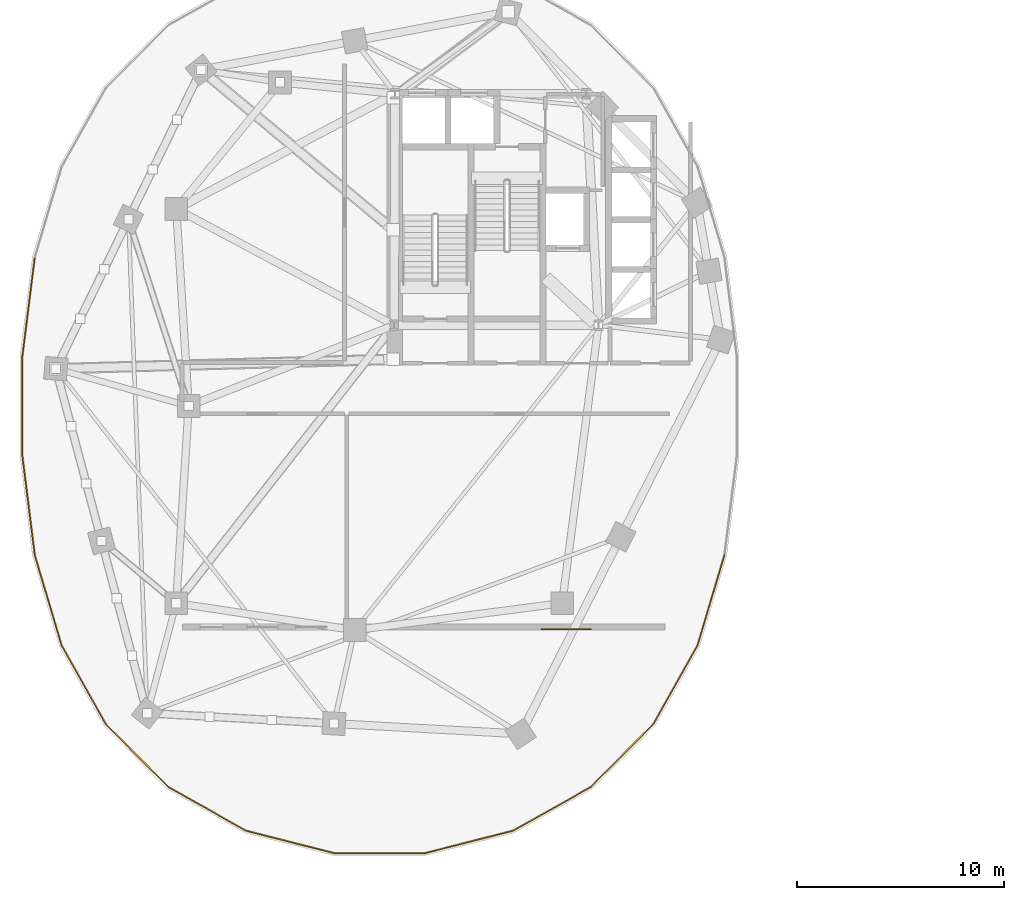
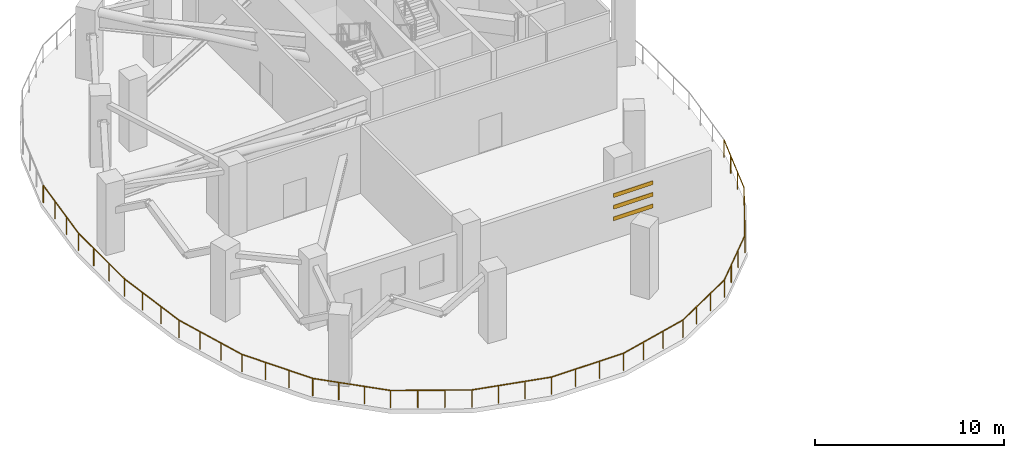
# One storey, part 8 of 12: 7 railings, 3 shading devices.
"""IFC4 building model written with IfcOpenShell, lengths in metres."""

from ifc_helpers import new_model, si_unit, direction, frame, origin, origin_2d, place, context, subcontext, project, spatial, rectangle, extrude, material, material_profile, profile_set, type_object, element, save


model = new_model("IFC4")

# Units and contexts
model_context = context("Model", 3, precision=1e-05, world=origin(), true_north=direction((0.0, 1.0)))
body_context = subcontext(model_context, "Body", "Model", "MODEL_VIEW")
ifc_project = project(units=[si_unit("LENGTHUNIT", "METRE"), si_unit("AREAUNIT", "SQUARE_METRE"), si_unit("VOLUMEUNIT", "CUBIC_METRE"), si_unit("PLANEANGLEUNIT", "RADIAN"), si_unit("MASSUNIT", "GRAM", prefix="KILO"), si_unit("THERMODYNAMICTEMPERATUREUNIT", "KELVIN"), si_unit("POWERUNIT", "WATT")], contexts=[model_context])

# Site, building, storey
site_placement = place(None, origin())
site = spatial("IfcSite", under=ifc_project, at=site_placement, CompositionType="ELEMENT")
building_placement = place(site_placement, origin())
building = spatial("IfcBuilding", under=site, at=building_placement, Name="Cundina Bronze Exchange", CompositionType="ELEMENT")
storey_placement = place(building_placement, frame((0.0, 0.0, 132.199951171875)))
storey = spatial("IfcBuildingStorey", under=building, at=storey_placement, Name="L34", CompositionType="ELEMENT", Elevation=132.199951171875)

# Railings
ifc_material = material(Name="Anodised Bronze Aluminium 6063-T6", Category="aluminium")
railing_type = type_object("IfcRailingType", Name="RLG-GRD-1150", PredefinedType="GUARDRAIL", material=ifc_material)
railing_1_placement = place(storey_placement, frame((-15.3828125, -7.17529296875, 0.0)))
element("IfcRailing", 1, at=railing_1_placement, inside=storey, type_object=railing_type, Name="L34 Perimeter Safety Guardrail 02", PredefinedType="GUARDRAIL", context=body_context, shape_type="SweptSolid", body=[
    extrude(rectangle(XDim=0.048095703125, YDim=0.048095703125, at=origin_2d()), frame((0.0, 0.0, 1.1259765625), z_axis=(-0.284864013169, -0.958567939168, 0.0), x_axis=(0.958567939168, -0.284864013169, 0.0)), (0.0, 0.0, 1.0), 4.564697265625),
    extrude(rectangle(XDim=0.048095703125, YDim=0.048095703125, at=origin_2d()), frame((-1.30029296875, -4.37548828125, 1.1259765625), z_axis=(-0.491134584651, -0.871083704221, 0.0), x_axis=(0.871083704221, -0.491134584651, 0.0)), (0.0, 0.0, 1.0), 4.35205078125),
    extrude(rectangle(XDim=0.0419921875, YDim=0.0419921875, at=origin_2d()), origin(), (0.0, 0.0, 1.0), 1.101806640625),
    extrude(rectangle(XDim=0.0419921875, YDim=0.0419921875, at=origin_2d()), frame((-0.433349609375, -1.45849609375, 0.0)), (0.0, 0.0, 1.0), 1.101806640625),
    extrude(rectangle(XDim=0.0419921875, YDim=0.0419921875, at=origin_2d()), frame((-0.866943359375, -2.9169921875, 0.0)), (0.0, 0.0, 1.0), 1.101806640625),
    extrude(rectangle(XDim=0.0419921875, YDim=0.0419921875, at=origin_2d()), frame((-1.30029296875, -4.37548828125, 0.0)), (0.0, 0.0, 1.0), 1.101806640625),
    extrude(rectangle(XDim=0.0419921875, YDim=0.0419921875, at=origin_2d()), frame((-2.0126953125, -5.63916015625, 0.0)), (0.0, 0.0, 1.0), 1.101806640625),
    extrude(rectangle(XDim=0.0419921875, YDim=0.0419921875, at=origin_2d()), frame((-2.725341796875, -6.90283203125, 0.0)), (0.0, 0.0, 1.0), 1.101806640625),
    extrude(rectangle(XDim=0.0419921875, YDim=0.0419921875, at=origin_2d()), frame((-3.437744140625, -8.16650390625, 0.0)), (0.0, 0.0, 1.0), 1.101806640625),
])
railing_2_placement = place(storey_placement, frame((-18.820556640625, -15.341796875, 0.0)))
element("IfcRailing", 2, at=railing_2_placement, inside=storey, type_object=railing_type, Name="L34 Perimeter Safety Guardrail 03", PredefinedType="GUARDRAIL", context=body_context, shape_type="SweptSolid", body=[
    extrude(rectangle(XDim=0.048095703125, YDim=0.048095703125, at=origin_2d()), frame((0.0, 0.0, 1.1259765625), z_axis=(-0.705213293252, -0.70899521227, 0.0), x_axis=(0.70899521227, -0.705213293252, 0.0)), (0.0, 0.0, 1.0), 4.260498046875),
    extrude(rectangle(XDim=0.048095703125, YDim=0.048095703125, at=origin_2d()), frame((-3.004638671875, -3.020751953125, 1.1259765625), z_axis=(-0.871962493313, -0.48957268128, 0.0), x_axis=(0.48957268128, -0.871962493313, 0.0)), (0.0, 0.0, 1.0), 4.293701171875),
    extrude(rectangle(XDim=0.0419921875, YDim=0.0419921875, at=origin_2d()), origin(), (0.0, 0.0, 1.0), 1.101806640625),
    extrude(rectangle(XDim=0.0419921875, YDim=0.0419921875, at=origin_2d()), frame((-1.00146484375, -1.0068359375, 0.0)), (0.0, 0.0, 1.0), 1.101806640625),
    extrude(rectangle(XDim=0.0419921875, YDim=0.0419921875, at=origin_2d()), frame((-2.003173828125, -2.013916015625, 0.0)), (0.0, 0.0, 1.0), 1.101806640625),
    extrude(rectangle(XDim=0.0419921875, YDim=0.0419921875, at=origin_2d()), frame((-3.004638671875, -3.020751953125, 0.0)), (0.0, 0.0, 1.0), 1.101806640625),
    extrude(rectangle(XDim=0.0419921875, YDim=0.0419921875, at=origin_2d()), frame((-4.252685546875, -3.721435546875, 0.0)), (0.0, 0.0, 1.0), 1.101806640625),
    extrude(rectangle(XDim=0.0419921875, YDim=0.0419921875, at=origin_2d()), frame((-5.50048828125, -4.422119140625, 0.0)), (0.0, 0.0, 1.0), 1.101806640625),
    extrude(rectangle(XDim=0.0419921875, YDim=0.0419921875, at=origin_2d()), frame((-6.74853515625, -5.122802734375, 0.0)), (0.0, 0.0, 1.0), 1.101806640625),
])
railing_3_placement = place(storey_placement, frame((-25.569091796875, -20.464599609375, 0.0)))
element("IfcRailing", 3, at=railing_3_placement, inside=storey, type_object=railing_type, Name="L34 Perimeter Safety Guardrail 04", PredefinedType="GUARDRAIL", context=body_context, shape_type="SweptSolid", body=[
    extrude(rectangle(XDim=0.048095703125, YDim=0.048095703125, at=origin_2d()), frame((0.0, 0.0, 1.1259765625), z_axis=(-0.969034209537, -0.246926508799, 0.0), x_axis=(0.246926508799, -0.969034209537, 0.0)), (0.0, 0.0, 1.0), 4.3671875),
    extrude(rectangle(XDim=0.048095703125, YDim=0.048095703125, at=origin_2d()), frame((-4.23193359375, -1.078369140625, 1.1259765625), z_axis=(-1.0, 0.0, 0.0), x_axis=(0.0, -1.0, 0.0)), (0.0, 0.0, 1.0), 4.39794921875),
    extrude(rectangle(XDim=0.0419921875, YDim=0.0419921875, at=origin_2d()), origin(), (0.0, 0.0, 1.0), 1.101806640625),
    extrude(rectangle(XDim=0.0419921875, YDim=0.0419921875, at=origin_2d()), frame((-1.41064453125, -0.359375, 0.0)), (0.0, 0.0, 1.0), 1.101806640625),
    extrude(rectangle(XDim=0.0419921875, YDim=0.0419921875, at=origin_2d()), frame((-2.8212890625, -0.718994140625, 0.0)), (0.0, 0.0, 1.0), 1.101806640625),
    extrude(rectangle(XDim=0.0419921875, YDim=0.0419921875, at=origin_2d()), frame((-4.23193359375, -1.078369140625, 0.0)), (0.0, 0.0, 1.0), 1.101806640625),
    extrude(rectangle(XDim=0.0419921875, YDim=0.0419921875, at=origin_2d()), frame((-5.697998046875, -1.078369140625, 0.0)), (0.0, 0.0, 1.0), 1.101806640625),
    extrude(rectangle(XDim=0.0419921875, YDim=0.0419921875, at=origin_2d()), frame((-7.163818359375, -1.078369140625, 0.0)), (0.0, 0.0, 1.0), 1.101806640625),
    extrude(rectangle(XDim=0.0419921875, YDim=0.0419921875, at=origin_2d()), frame((-8.6298828125, -1.078369140625, 0.0)), (0.0, 0.0, 1.0), 1.101806640625),
])
railing_4_placement = place(storey_placement, frame((-34.198974609375, -21.54296875, 0.0)))
element("IfcRailing", 4, at=railing_4_placement, inside=storey, type_object=railing_type, Name="L34 Perimeter Safety Guardrail 05", PredefinedType="GUARDRAIL", context=body_context, shape_type="SweptSolid", body=[
    extrude(rectangle(XDim=0.048095703125, YDim=0.048095703125, at=origin_2d()), frame((0.0, 0.0, 1.1259765625), z_axis=(-0.969034209537, 0.246926508799, 0.0), x_axis=(-0.246926508799, -0.969034209537, 0.0)), (0.0, 0.0, 1.0), 4.3671875),
    extrude(rectangle(XDim=0.048095703125, YDim=0.048095703125, at=origin_2d()), frame((-4.23193359375, 1.078369140625, 1.1259765625), z_axis=(-0.871962493313, 0.48957268128, 0.0), x_axis=(-0.48957268128, -0.871962493313, 0.0)), (0.0, 0.0, 1.0), 4.293701171875),
    extrude(rectangle(XDim=0.0419921875, YDim=0.0419921875, at=origin_2d()), origin(), (0.0, 0.0, 1.0), 1.101806640625),
    extrude(rectangle(XDim=0.0419921875, YDim=0.0419921875, at=origin_2d()), frame((-1.41064453125, 0.359375, 0.0)), (0.0, 0.0, 1.0), 1.101806640625),
    extrude(rectangle(XDim=0.0419921875, YDim=0.0419921875, at=origin_2d()), frame((-2.8212890625, 0.718994140625, 0.0)), (0.0, 0.0, 1.0), 1.101806640625),
    extrude(rectangle(XDim=0.0419921875, YDim=0.0419921875, at=origin_2d()), frame((-4.23193359375, 1.078369140625, 0.0)), (0.0, 0.0, 1.0), 1.101806640625),
    extrude(rectangle(XDim=0.0419921875, YDim=0.0419921875, at=origin_2d()), frame((-5.47998046875, 1.779052734375, 0.0)), (0.0, 0.0, 1.0), 1.101806640625),
    extrude(rectangle(XDim=0.0419921875, YDim=0.0419921875, at=origin_2d()), frame((-6.727783203125, 2.479736328125, 0.0)), (0.0, 0.0, 1.0), 1.101806640625),
    extrude(rectangle(XDim=0.0419921875, YDim=0.0419921875, at=origin_2d()), frame((-7.975830078125, 3.180419921875, 0.0)), (0.0, 0.0, 1.0), 1.101806640625),
])
railing_5_placement = place(storey_placement, frame((-42.1748046875, -18.362548828125, 0.0)))
element("IfcRailing", 5, at=railing_5_placement, inside=storey, type_object=railing_type, Name="L34 Perimeter Safety Guardrail 06", PredefinedType="GUARDRAIL", context=body_context, shape_type="SweptSolid", body=[
    extrude(rectangle(XDim=0.048095703125, YDim=0.048095703125, at=origin_2d()), frame((0.0, 0.0, 1.1259765625), z_axis=(-0.705213293252, 0.70899521227, 0.0), x_axis=(-0.70899521227, -0.705213293252, 0.0)), (0.0, 0.0, 1.0), 4.260498046875),
    extrude(rectangle(XDim=0.048095703125, YDim=0.048095703125, at=origin_2d()), frame((-3.004638671875, 3.020751953125, 1.1259765625), z_axis=(-0.491134584651, 0.871083704221, 0.0), x_axis=(-0.871083704221, -0.491134584651, 0.0)), (0.0, 0.0, 1.0), 4.35205078125),
    extrude(rectangle(XDim=0.0419921875, YDim=0.0419921875, at=origin_2d()), origin(), (0.0, 0.0, 1.0), 1.101806640625),
    extrude(rectangle(XDim=0.0419921875, YDim=0.0419921875, at=origin_2d()), frame((-1.00146484375, 1.0068359375, 0.0)), (0.0, 0.0, 1.0), 1.101806640625),
    extrude(rectangle(XDim=0.0419921875, YDim=0.0419921875, at=origin_2d()), frame((-2.003173828125, 2.013916015625, 0.0)), (0.0, 0.0, 1.0), 1.101806640625),
    extrude(rectangle(XDim=0.0419921875, YDim=0.0419921875, at=origin_2d()), frame((-3.004638671875, 3.020751953125, 0.0)), (0.0, 0.0, 1.0), 1.101806640625),
    extrude(rectangle(XDim=0.0419921875, YDim=0.0419921875, at=origin_2d()), frame((-3.717041015625, 4.284423828125, 0.0)), (0.0, 0.0, 1.0), 1.101806640625),
    extrude(rectangle(XDim=0.0419921875, YDim=0.0419921875, at=origin_2d()), frame((-4.4296875, 5.548095703125, 0.0)), (0.0, 0.0, 1.0), 1.101806640625),
    extrude(rectangle(XDim=0.0419921875, YDim=0.0419921875, at=origin_2d()), frame((-5.14208984375, 6.811767578125, 0.0)), (0.0, 0.0, 1.0), 1.101806640625),
])
railing_6_placement = place(storey_placement, frame((-47.31689453125, -11.55078125, 0.0)))
element("IfcRailing", 6, at=railing_6_placement, inside=storey, type_object=railing_type, Name="L34 Perimeter Safety Guardrail 07", PredefinedType="GUARDRAIL", context=body_context, shape_type="SweptSolid", body=[
    extrude(rectangle(XDim=0.048095703125, YDim=0.048095703125, at=origin_2d()), frame((0.0, 0.0, 1.1259765625), z_axis=(-0.284864013169, 0.958567939168, 0.0), x_axis=(-0.958567939168, -0.284864013169, 0.0)), (0.0, 0.0, 1.0), 4.564697265625),
    extrude(rectangle(XDim=0.048095703125, YDim=0.048095703125, at=origin_2d()), frame((-1.30029296875, 4.37548828125, 1.1259765625), z_axis=(-0.123846086367, 0.992301439529, 0.0), x_axis=(-0.992301439529, -0.123846086367, 0.0)), (0.0, 0.0, 1.0), 4.778564453125),
    extrude(rectangle(XDim=0.0419921875, YDim=0.0419921875, at=origin_2d()), origin(), (0.0, 0.0, 1.0), 1.101806640625),
    extrude(rectangle(XDim=0.0419921875, YDim=0.0419921875, at=origin_2d()), frame((-0.433349609375, 1.45849609375, 0.0)), (0.0, 0.0, 1.0), 1.101806640625),
    extrude(rectangle(XDim=0.0419921875, YDim=0.0419921875, at=origin_2d()), frame((-0.866943359375, 2.9169921875, 0.0)), (0.0, 0.0, 1.0), 1.101806640625),
    extrude(rectangle(XDim=0.0419921875, YDim=0.0419921875, at=origin_2d()), frame((-1.30029296875, 4.37548828125, 0.0)), (0.0, 0.0, 1.0), 1.101806640625),
    extrude(rectangle(XDim=0.0419921875, YDim=0.0419921875, at=origin_2d()), frame((-1.49755859375, 5.9560546875, 0.0)), (0.0, 0.0, 1.0), 1.101806640625),
    extrude(rectangle(XDim=0.0419921875, YDim=0.0419921875, at=origin_2d()), frame((-1.69482421875, 7.53662109375, 0.0)), (0.0, 0.0, 1.0), 1.101806640625),
    extrude(rectangle(XDim=0.0419921875, YDim=0.0419921875, at=origin_2d()), frame((-1.89208984375, 9.1171875, 0.0)), (0.0, 0.0, 1.0), 1.101806640625),
])
railing_7_placement = place(storey_placement, frame((-49.208984375, -2.43359375, 0.0)))
element("IfcRailing", 7, at=railing_7_placement, inside=storey, type_object=railing_type, Name="L34 Perimeter Safety Guardrail 08", PredefinedType="GUARDRAIL", context=body_context, shape_type="SweptSolid", body=[
    extrude(rectangle(XDim=0.048095703125, YDim=0.048095703125, at=origin_2d()), frame((0.0, 0.0, 1.1259765625), z_axis=(0.0, 1.0, 0.0), x_axis=(-1.0, 0.0, 0.0)), (0.0, 0.0, 1.0), 4.8671875),
    extrude(rectangle(XDim=0.048095703125, YDim=0.048095703125, at=origin_2d()), frame((0.0, 4.8671875, 1.1259765625), z_axis=(0.123846086367, 0.992301439529, 0.0), x_axis=(-0.992301439529, 0.123846086367, 0.0)), (0.0, 0.0, 1.0), 4.778564453125),
    extrude(rectangle(XDim=0.0419921875, YDim=0.0419921875, at=origin_2d()), origin(), (0.0, 0.0, 1.0), 1.101806640625),
    extrude(rectangle(XDim=0.0419921875, YDim=0.0419921875, at=origin_2d()), frame((0.0, 1.622314453125, 0.0)), (0.0, 0.0, 1.0), 1.101806640625),
    extrude(rectangle(XDim=0.0419921875, YDim=0.0419921875, at=origin_2d()), frame((0.0, 3.244873046875, 0.0)), (0.0, 0.0, 1.0), 1.101806640625),
    extrude(rectangle(XDim=0.0419921875, YDim=0.0419921875, at=origin_2d()), frame((0.0, 4.8671875, 0.0)), (0.0, 0.0, 1.0), 1.101806640625),
    extrude(rectangle(XDim=0.0419921875, YDim=0.0419921875, at=origin_2d()), frame((0.197265625, 6.44775390625, 0.0)), (0.0, 0.0, 1.0), 1.101806640625),
    extrude(rectangle(XDim=0.0419921875, YDim=0.0419921875, at=origin_2d()), frame((0.39453125, 8.0283203125, 0.0)), (0.0, 0.0, 1.0), 1.101806640625),
    extrude(rectangle(XDim=0.0419921875, YDim=0.0419921875, at=origin_2d()), frame((0.591796875, 9.60888671875, 0.0)), (0.0, 0.0, 1.0), 1.101806640625),
])

# Shading devices
ifc_material_profile = material_profile(ifc_material, rectangle(XDim=0.06005859375, YDim=0.25, at=origin_2d()), Name="LVR60X250", Category="aluminium")
ifc_profile_set = profile_set([ifc_material_profile], Name="Anodised Bronze Aluminium 6063-T6")
shading_device_type = type_object("IfcShadingDeviceType", Name="SHD-LVR-BRZ250", PredefinedType="JALOUSIE", material=ifc_profile_set)
for number, where, z_axis, x_axis, name in (
    (8, (-24.199951171875, -10.760009765625, 1.300048828125), (1.0, 0.0, 0.0), (0.0, 1.0, 0.0), "L34 Leg W Plant Intake Jalousie Louvre 1"),
    (9, (-24.199951171875, -10.760009765625, 2.050048828125), (1.0, 0.0, 0.0), (0.0, 1.0, 0.0), "L34 Leg W Plant Intake Jalousie Louvre 2"),
    (10, (-24.199951171875, -10.760009765625, 2.800048828125), (1.0, 0.0, 0.0), (0.0, 1.0, 0.0), "L34 Leg W Plant Intake Jalousie Louvre 3"),
):
    element("IfcShadingDevice", number, at=place(storey_placement, frame(where, z_axis=z_axis, x_axis=x_axis)), inside=storey, type_object=shading_device_type, Name=name, PredefinedType="JALOUSIE", context=body_context, shape_type="SweptSolid", body=[
        extrude(rectangle(XDim=0.06005859375, YDim=0.25, at=origin_2d()), origin(), (0.0, 0.0, 1.0), 2.39990234375),
    ])

save(model, "model.ifc")
